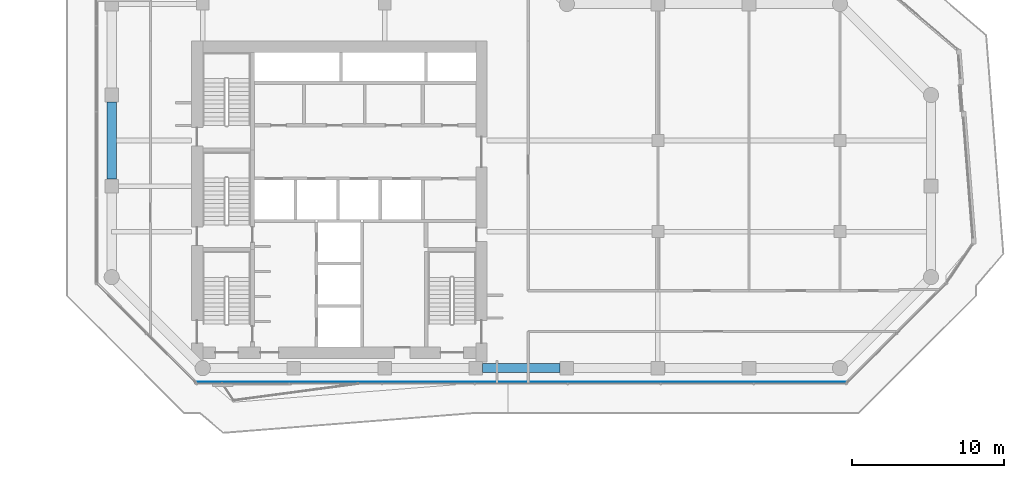
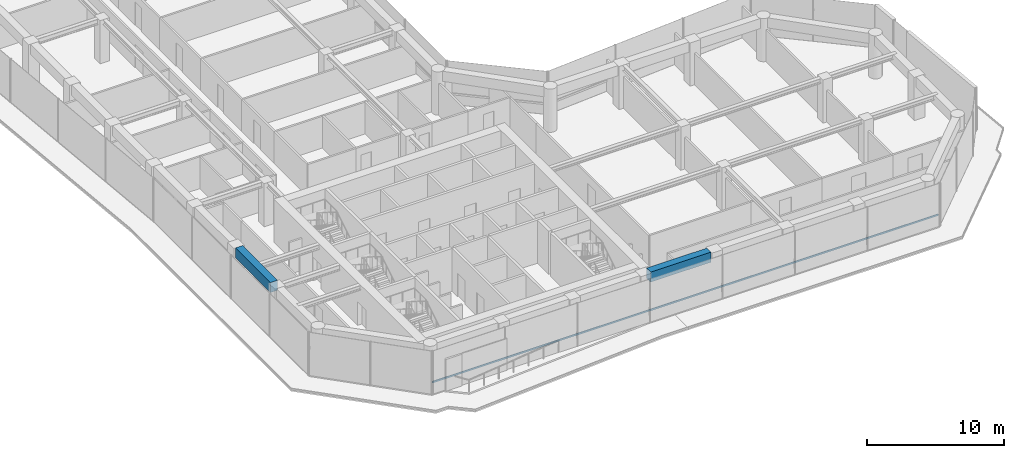
# One storey, part 3 of 25: 2 beams, 1 member, 1 element without a shape of its own.
"""IFC4 building model written with IfcOpenShell, lengths in metres."""

from ifc_helpers import new_model, si_unit, direction, frame, origin, origin_2d, place, context, subcontext, project, spatial, rectangle, extrude, material, layer, layer_set, material_profile, profile_set, type_object, element, aggregate, save


model = new_model("IFC4")

# Units and contexts
model_context = context("Model", 3, precision=1e-05, world=origin(), true_north=direction((0.0, 1.0)))
body_context = subcontext(model_context, "Body", "Model", "MODEL_VIEW")
ifc_project = project(units=[si_unit("LENGTHUNIT", "METRE"), si_unit("AREAUNIT", "SQUARE_METRE"), si_unit("VOLUMEUNIT", "CUBIC_METRE"), si_unit("PLANEANGLEUNIT", "RADIAN"), si_unit("MASSUNIT", "GRAM", prefix="KILO")], contexts=[model_context])

# Site, building, storey
site_placement = place(None, origin())
site = spatial("IfcSite", under=ifc_project, at=site_placement, CompositionType="ELEMENT")
building_placement = place(site_placement, origin())
building = spatial("IfcBuilding", under=site, at=building_placement, Name="Welwitschia Terrace Campus", CompositionType="ELEMENT")
storey_placement = place(building_placement, frame((0.0, 0.0, 92.0)))
storey = spatial("IfcBuildingStorey", under=building, at=storey_placement, Name="L20", CompositionType="ELEMENT", Elevation=92.0)

# Beams
ifc_material_1 = material(Name="Concrete C60/75", Category="concrete")
ifc_material_profile_1 = material_profile(ifc_material_1, rectangle(XDim=0.60009765625, YDim=0.89990234375, at=origin_2d()))
ifc_profile_set_1 = profile_set([ifc_material_profile_1], Name="Concrete C60/75")
beam_type = type_object("IfcBeamType", Name="Ring spandrel 600x900", PredefinedType="SPANDREL", material=ifc_profile_set_1)
for number, where, z_axis, x_axis, name in (
    (1, (24.450439453125, 4.0, 3.39990234375), (1.0, 0.0, 0.0), (0.0, 1.0, 0.0), "Spandrel SP2"),
    (2, (0.0, 21.549560546875, 3.39990234375), (0.0, -1.0, 0.0), (1.0, 0.0, 0.0), "Spandrel SP2"),
):
    element("IfcBeam", number, at=place(storey_placement, frame(where, z_axis=z_axis, x_axis=x_axis)), inside=storey, type_object=beam_type, Name=name, PredefinedType="SPANDREL", context=body_context, shape_type="SweptSolid", body=[
        extrude(rectangle(XDim=0.60009765625, YDim=0.89990234375, at=origin_2d()), origin(), (0.0, 0.0, 1.0), 5.09912109375),
    ])

# Curtain wall, member
ifc_material_2 = material(Name="Bronze anodised aluminium", Category="aluminium")
ifc_layer = layer(ifc_material_2, 0.1201171875)
ifc_layer_set = layer_set([ifc_layer], Name="Bronze anodised aluminium")
curtain_wall_type = type_object("IfcCurtainWallType", Name="Curtain wall CW2 tower 6000", PredefinedType="NOTDEFINED", material=ifc_layer_set)
curtain_wall_placement = place(storey_placement, origin())
curtain_wall = element("IfcCurtainWall", 3, at=curtain_wall_placement, inside=storey, type_object=curtain_wall_type, Name="CW L20.3.0", PredefinedType="NOTDEFINED")
ifc_material_3 = material(Name="Bronze anodised aluminium", Category="aluminium")
ifc_material_profile_2 = material_profile(ifc_material_3, rectangle(XDim=0.06005859375, YDim=0.14990234375, at=origin_2d()))
ifc_profile_set_2 = profile_set([ifc_material_profile_2], Name="Bronze anodised aluminium")
member_type = type_object("IfcMemberType", Name="Transom 60x150", PredefinedType="USERDEFINED", material=ifc_profile_set_2)
member_placement = place(storey_placement, frame((5.63330078125, 3.06005859375, 1.0), z_axis=(1.0, 0.0, 0.0), x_axis=(0.0, 1.0, 0.0)))
member = element("IfcMember", 4, at=member_placement, type_object=member_type, Name="Transom L20.3.0", ObjectType="TRANSOM", PredefinedType="USERDEFINED", context=body_context, shape_type="SweptSolid", body=[
    extrude(rectangle(XDim=0.06005859375, YDim=0.14990234375, at=origin_2d()), origin(), (0.0, 0.0, 1.0), 42.7333984375),
])
aggregate(curtain_wall, [member])

save(model, "model.ifc")
